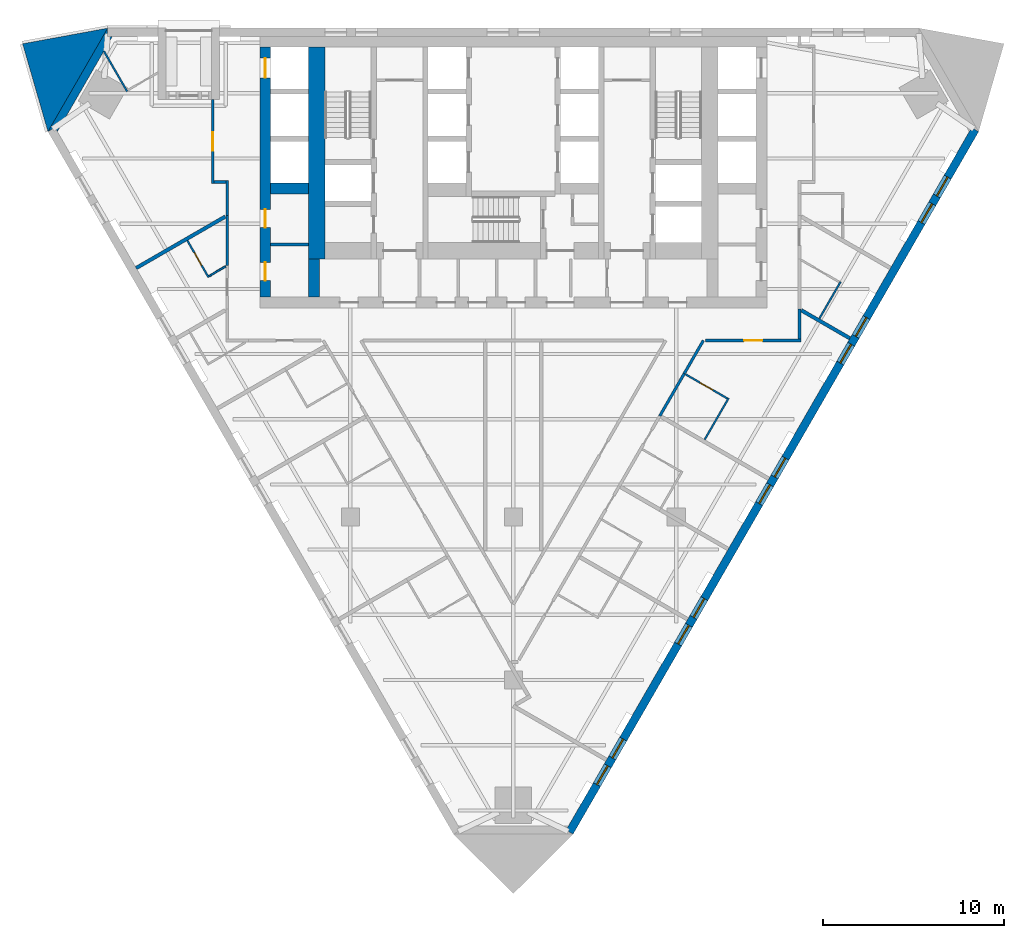
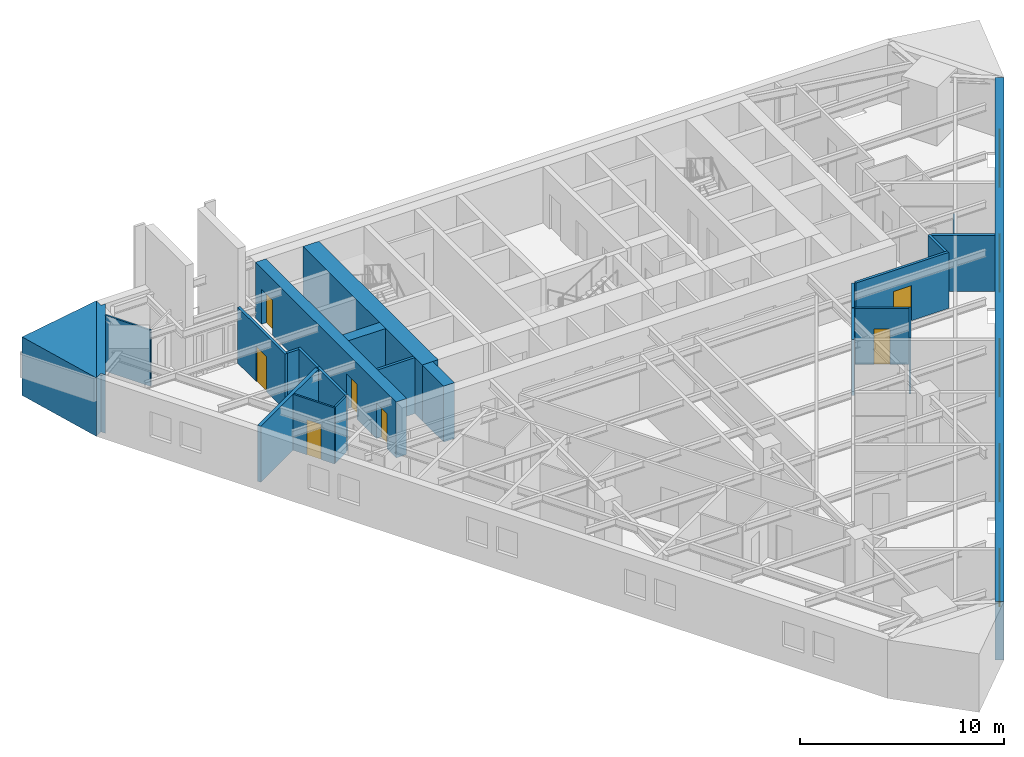
# One storey, part 5 of 10: 24 walls, 10 windows, 7 doors, 17 openings.
"""IFC4 building model written with IfcOpenShell, lengths in metres."""

from ifc_helpers import new_model, si_unit, direction, frame, frame_2d, origin, place, context, subcontext, project, spatial, polyline, rectangle, outline, extrude, material, layer, layer_set, type_object, element, fill, save


model = new_model("IFC4")

# Units and contexts
model_context = context("Model", 3, precision=1e-05, world=origin(), true_north=direction((0.0, 1.0)))
body_context = subcontext(model_context, "Body", "Model", "MODEL_VIEW")
ifc_project = project(units=[si_unit("LENGTHUNIT", "METRE"), si_unit("AREAUNIT", "SQUARE_METRE"), si_unit("VOLUMEUNIT", "CUBIC_METRE"), si_unit("PLANEANGLEUNIT", "RADIAN"), si_unit("MASSUNIT", "GRAM", prefix="KILO")], contexts=[model_context])

# Site, building, storey
site_placement = place(None, origin())
site = spatial("IfcSite", under=ifc_project, at=site_placement, CompositionType="ELEMENT")
building_placement = place(site_placement, origin())
building = spatial("IfcBuilding", under=site, at=building_placement, Name="Aloe Facet Convention Tower", CompositionType="ELEMENT")
storey_placement = place(building_placement, frame((0.0, 0.0, 45.5)))
storey = spatial("IfcBuildingStorey", under=building, at=storey_placement, Name="L09", CompositionType="ELEMENT", Elevation=45.5)

# Wall
ifc_material_1 = material(Name="Concrete blockwork partition", Category="masonry")
ifc_layer_1 = layer(ifc_material_1, 0.14990234375)
ifc_layer_set_1 = layer_set([ifc_layer_1], Name="CR-W-PART150")
wall_type_1 = type_object("IfcWallType", Name="CR-W-PART150", PredefinedType="PARTITIONING", material=ifc_layer_set_1)
wall_1_placement = place(storey_placement, frame((66.60009765625, 123.048583984375, 0.0), z_axis=(0.0, 0.0, 1.0), x_axis=(1.0, 0.0, 0.0)))
element("IfcWall", 1, at=wall_1_placement, inside=storey, type_object=wall_type_1, Name="Core partition L09-007", PredefinedType="PARTITIONING", context=body_context, shape_type="SweptSolid", body=[
    extrude(rectangle(XDim=2.099853515625, YDim=0.14990234375, at=frame_2d((1.0498046875, 0.0))), origin(), (0.0, 0.0, 1.0), 3.35009765625),
])

# Wall, openings, doors
ifc_material_2 = material(Name="Concrete C80/95", Category="concrete")
ifc_layer_2 = layer(ifc_material_2, 0.60009765625)
ifc_layer_set_2 = layer_set([ifc_layer_2], Name="CR-W-RC600-C8095")
wall_type_2 = type_object("IfcWallType", Name="CR-W-RC600-C8095", PredefinedType="SOLIDWALL", material=ifc_layer_set_2)
wall_2_placement = place(storey_placement, frame((66.300048828125, 133.949951171875, 0.0), z_axis=(0.0, 0.0, 1.0), x_axis=(0.0, -1.0, 0.0)))
wall_2 = element("IfcWall", 2, at=wall_2_placement, inside=storey, type_object=wall_type_2, Name="Core wall L09-002", PredefinedType="SOLIDWALL", context=body_context, shape_type="SweptSolid", body=[
    extrude(rectangle(XDim=13.800048828125, YDim=0.60009765625, at=frame_2d((6.89990234375, 0.0))), origin(), (0.0, 0.0, 1.0), 3.35009765625),
])
opening_1_placement = place(wall_2_placement, frame((0.60009765625, 0.0, 0.0)))
opening_1 = element("IfcOpeningElement", 3, at=opening_1_placement, cuts=wall_2, Name="Opening LD-A7-L09", PredefinedType="OPENING", context=body_context, shape_type="SweptSolid", body=[
    extrude(rectangle(XDim=1.10009765625, YDim=2.10009765625, at=frame_2d((0.550048828125, 1.050048828125))), frame((0.0, 0.31005859375, 0.0), z_axis=(0.0, -1.0, 0.0), x_axis=(1.0, 0.0, 0.0)), (0.0, 0.0, 1.0), 0.6201171875),
])
opening_2_placement = place(wall_2_placement, frame((8.963134765625, 0.0, 0.0)))
opening_2 = element("IfcOpeningElement", 4, at=opening_2_placement, cuts=wall_2, Name="Opening L09-CD33", PredefinedType="OPENING", context=body_context, shape_type="SweptSolid", body=[
    extrude(rectangle(XDim=1.0, YDim=2.10009765625, at=frame_2d((0.5, 1.050048828125))), frame((0.0, 0.31005859375, 0.0), z_axis=(0.0, -1.0, 0.0), x_axis=(1.0, 0.0, 0.0)), (0.0, 0.0, 1.0), 0.6201171875),
])
opening_3_placement = place(wall_2_placement, frame((11.88818359375, 0.0, 0.0)))
opening_3 = element("IfcOpeningElement", 5, at=opening_3_placement, cuts=wall_2, Name="Opening L09-CD34", PredefinedType="OPENING", context=body_context, shape_type="SweptSolid", body=[
    extrude(rectangle(XDim=1.0, YDim=2.10009765625, at=frame_2d((0.5, 1.050048828125))), frame((0.0, 0.31005859375, 0.0), z_axis=(0.0, -1.0, 0.0), x_axis=(1.0, 0.0, 0.0)), (0.0, 0.0, 1.0), 0.6201171875),
])
ifc_material_3 = material(Name="Steel fire-resisting door set FD60", Category="steel")
door_type_1 = type_object("IfcDoorType", Name="CR-D-ROOM-1000-FD60-SLEFT", OperationType="SINGLE_SWING_LEFT", PredefinedType="DOOR", material=ifc_material_3)
door_1_placement = place(opening_2_placement, origin())
door_1 = element("IfcDoor", 6, at=door_1_placement, inside=storey, type_object=door_type_1, Name="Core door L09-CD33", OperationType="SINGLE_SWING_LEFT", OverallHeight=2.10009765625, OverallWidth=1.0, PredefinedType="DOOR", context=body_context, shape_type="SweptSolid", body=[
    extrude(rectangle(XDim=1.0, YDim=2.10009765625, at=frame_2d((0.5, 1.050048828125))), frame((0.0, 0.02490234375, 0.0), z_axis=(0.0, -1.0, 0.0), x_axis=(1.0, 0.0, 0.0)), (0.0, 0.0, 1.0), 0.050048828125),
])
fill(opening_2, door_1)
door_2_placement = place(opening_3_placement, origin())
door_2 = element("IfcDoor", 7, at=door_2_placement, inside=storey, type_object=door_type_1, Name="Core door L09-CD34", OperationType="SINGLE_SWING_LEFT", OverallHeight=2.10009765625, OverallWidth=1.0, PredefinedType="DOOR", context=body_context, shape_type="SweptSolid", body=[
    extrude(rectangle(XDim=1.0, YDim=2.10009765625, at=frame_2d((0.5, 1.050048828125))), frame((0.0, 0.02490234375, 0.0), z_axis=(0.0, -1.0, 0.0), x_axis=(1.0, 0.0, 0.0)), (0.0, 0.0, 1.0), 0.050048828125),
])
fill(opening_3, door_2)
ifc_material_4 = material(Name="Stainless steel sliding landing door", Category="steel")
door_type_2 = type_object("IfcDoorType", Name="CR-LD-1100-FD60-_LEFT", OperationType="SLIDING_TO_LEFT", PredefinedType="DOOR", material=ifc_material_4)
door_3_placement = place(opening_1_placement, origin())
door_3 = element("IfcDoor", 8, at=door_3_placement, inside=storey, type_object=door_type_2, Name="Landing door A7 L09", OperationType="SLIDING_TO_LEFT", OverallHeight=2.10009765625, OverallWidth=1.10009765625, PredefinedType="DOOR", context=body_context, shape_type="SweptSolid", body=[
    extrude(rectangle(XDim=1.10009765625, YDim=2.10009765625, at=frame_2d((0.550048828125, 1.050048828125))), frame((0.0, 0.02490234375, 0.0), z_axis=(0.0, -1.0, 0.0), x_axis=(1.0, 0.0, 0.0)), (0.0, 0.0, 1.0), 0.050048828125),
])
fill(opening_1, door_3)

# Walls
wall_3_placement = place(storey_placement, frame((66.60009765625, 126.14990234375, 0.0), z_axis=(0.0, 0.0, 1.0), x_axis=(1.0, 0.0, 0.0)))
element("IfcWall", 9, at=wall_3_placement, inside=storey, type_object=wall_type_2, Name="Core wall L09-006", PredefinedType="SOLIDWALL", context=body_context, shape_type="SweptSolid", body=[
    extrude(rectangle(XDim=2.099853515625, YDim=0.60009765625, at=frame_2d((1.0498046875, 0.0))), origin(), (0.0, 0.0, 1.0), 3.35009765625),
])
wall_4_placement = place(storey_placement, frame((69.0, 122.25, 0.0), z_axis=(0.0, 0.0, 1.0), x_axis=(0.0, -1.0, 0.0)))
element("IfcWall", 10, at=wall_4_placement, inside=storey, type_object=wall_type_2, Name="Core wall L09-009", PredefinedType="SOLIDWALL", context=body_context, shape_type="SweptSolid", body=[
    extrude(rectangle(XDim=2.10009765625, YDim=0.60009765625, at=frame_2d((1.050048828125, 0.0))), origin(), (0.0, 0.0, 1.0), 3.35009765625),
])
ifc_material_5 = material(Name="Concrete C80/95", Category="concrete")
ifc_layer_3 = layer(ifc_material_5, 0.89990234375)
ifc_layer_set_3 = layer_set([ifc_layer_3], Name="CR-W-RC900-C8095")
wall_type_3 = type_object("IfcWallType", Name="CR-W-RC900-C8095", PredefinedType="SOLIDWALL", material=ifc_layer_set_3)
wall_5_placement = place(storey_placement, frame((69.14990234375, 133.949951171875, 0.0), z_axis=(0.0, 0.0, 1.0), x_axis=(0.0, -1.0, 0.0)))
element("IfcWall", 11, at=wall_5_placement, inside=storey, type_object=wall_type_3, Name="Core wall L09-008", PredefinedType="SOLIDWALL", context=body_context, shape_type="SweptSolid", body=[
    extrude(rectangle(XDim=11.699951171875, YDim=0.89990234375, at=frame_2d((5.85009765625, 0.0))), origin(), (0.0, 0.0, 1.0), 3.35009765625),
])
ifc_material_6 = material(Name="Precast concrete C40/50", Category="concrete")
ifc_layer_4 = layer(ifc_material_6, 0.449951171875)
ifc_layer_set_4 = layer_set([ifc_layer_4], Name="EV-WALL-PIER")
wall_type_4 = type_object("IfcWallType", Name="EV-WALL-PIER", PredefinedType="SOLIDWALL", material=ifc_layer_set_4)
wall_6_placement = place(storey_placement, frame((0.0, 0.0, -0.14990234375)))
element("IfcWall", 12, at=wall_6_placement, inside=storey, type_object=wall_type_4, Name="EP-L09-A", PredefinedType="SOLIDWALL", context=body_context, shape_type="SweptSolid", body=[
    extrude(outline(polyline([(57.60009765625, 135.0), (57.60009765625, 134.550048828125), (57.85986328125, 134.550048828125), (54.819580078125, 129.2841796875), (54.689697265625, 129.50927734375), (54.300048828125, 129.2841796875), (57.60009765625, 135.0)])), origin(), (0.0, 0.0, 1.0), 3.5),
])
ifc_material_7 = material(Name="Precast concrete C40/50", Category="concrete")
ifc_layer_5 = layer(ifc_material_7, 3.947998046875)
ifc_layer_set_5 = layer_set([ifc_layer_5], Name="EV-WALL-SPINE")
wall_type_5 = type_object("IfcWallType", Name="EV-WALL-SPINE", PredefinedType="SOLIDWALL", material=ifc_layer_set_5)
wall_7_placement = place(storey_placement, frame((0.0, 0.0, -0.14990234375)))
element("IfcWall", 13, at=wall_7_placement, inside=storey, type_object=wall_type_5, Name="SP-NW-L09", PredefinedType="SOLIDWALL", context=body_context, shape_type="SweptSolid", body=[
    extrude(outline(polyline([(57.60009765625, 135.0), (52.900390625, 134.137451171875), (54.300048828125, 129.2841796875), (57.60009765625, 135.0)])), origin(), (0.0, 0.0, 1.0), 3.5),
])

# Wall, openings, windows
ifc_material_8 = material(Name="Precast concrete C40/50", Category="concrete")
ifc_layer_6 = layer(ifc_material_8, 0.449951171875)
ifc_layer_set_6 = layer_set([ifc_layer_6], Name="EV-WALL-STONE")
wall_type_6 = type_object("IfcWallType", Name="EV-WALL-STONE", PredefinedType="SOLIDWALL", material=ifc_layer_set_6)
wall_8_placement = place(storey_placement, frame((83.105224609375, 90.598876953125, -0.14990234375), z_axis=(0.0, 0.0, 1.0), x_axis=(0.499999201451, 0.866025864826, 0.0)))
wall_8 = element("IfcWall", 14, at=wall_8_placement, inside=storey, type_object=wall_type_6, Name="EW-L09-E01", PredefinedType="SOLIDWALL", context=body_context, shape_type="SweptSolid", body=[
    extrude(outline(polyline([(44.800048828125, 0.0), (44.800048828125, 3.5), (0.0, 3.5), (0.0, 0.0), (44.800048828125, 0.0)])), frame((0.0, 0.22509765625, 0.0), z_axis=(0.0, -1.0, 0.0), x_axis=(1.0, 0.0, 0.0)), (0.0, 0.0, 1.0), 0.449951171875),
])
opening_4_placement = place(wall_8_placement, frame((3.030029296875, 0.0, 1.050048828125)))
opening_4 = element("IfcOpeningElement", 15, at=opening_4_placement, cuts=wall_8, Name="Opening W-L09-E01", PredefinedType="OPENING", context=body_context, shape_type="SweptSolid", body=[
    extrude(rectangle(XDim=1.199951171875, YDim=1.5, at=frame_2d((0.60009765625, 0.75))), frame((0.0, 0.23486328125, 0.0), z_axis=(0.0, -1.0, 0.0), x_axis=(1.0, 0.0, 0.0)), (0.0, 0.0, 1.0), 0.469970703125),
])
opening_5_placement = place(wall_8_placement, frame((4.72998046875, 0.0, 1.050048828125)))
opening_5 = element("IfcOpeningElement", 16, at=opening_5_placement, cuts=wall_8, Name="Opening W-L09-E02", PredefinedType="OPENING", context=body_context, shape_type="SweptSolid", body=[
    extrude(rectangle(XDim=1.199951171875, YDim=1.5, at=frame_2d((0.60009765625, 0.75))), frame((0.0, 0.23486328125, 0.0), z_axis=(0.0, -1.0, 0.0), x_axis=(1.0, 0.0, 0.0)), (0.0, 0.0, 1.0), 0.469970703125),
])
opening_6_placement = place(wall_8_placement, frame((11.989990234375, 0.0, 1.050048828125)))
opening_6 = element("IfcOpeningElement", 17, at=opening_6_placement, cuts=wall_8, Name="Opening W-L09-E03", PredefinedType="OPENING", context=body_context, shape_type="SweptSolid", body=[
    extrude(rectangle(XDim=1.199951171875, YDim=1.5, at=frame_2d((0.60009765625, 0.75))), frame((0.0, 0.23486328125, 0.0), z_axis=(0.0, -1.0, 0.0), x_axis=(1.0, 0.0, 0.0)), (0.0, 0.0, 1.0), 0.469970703125),
])
opening_7_placement = place(wall_8_placement, frame((13.68994140625, 0.0, 1.050048828125)))
opening_7 = element("IfcOpeningElement", 18, at=opening_7_placement, cuts=wall_8, Name="Opening W-L09-E04", PredefinedType="OPENING", context=body_context, shape_type="SweptSolid", body=[
    extrude(rectangle(XDim=1.199951171875, YDim=1.5, at=frame_2d((0.60009765625, 0.75))), frame((0.0, 0.23486328125, 0.0), z_axis=(0.0, -1.0, 0.0), x_axis=(1.0, 0.0, 0.0)), (0.0, 0.0, 1.0), 0.469970703125),
])
opening_8_placement = place(wall_8_placement, frame((20.949951171875, 0.0, 1.050048828125)))
opening_8 = element("IfcOpeningElement", 19, at=opening_8_placement, cuts=wall_8, Name="Opening W-L09-E05", PredefinedType="OPENING", context=body_context, shape_type="SweptSolid", body=[
    extrude(rectangle(XDim=1.199951171875, YDim=1.5, at=frame_2d((0.60009765625, 0.75))), frame((0.0, 0.23486328125, 0.0), z_axis=(0.0, -1.0, 0.0), x_axis=(1.0, 0.0, 0.0)), (0.0, 0.0, 1.0), 0.469970703125),
])
opening_9_placement = place(wall_8_placement, frame((22.64990234375, 0.0, 1.050048828125)))
opening_9 = element("IfcOpeningElement", 20, at=opening_9_placement, cuts=wall_8, Name="Opening W-L09-E06", PredefinedType="OPENING", context=body_context, shape_type="SweptSolid", body=[
    extrude(rectangle(XDim=1.199951171875, YDim=1.5, at=frame_2d((0.60009765625, 0.75))), frame((0.0, 0.23486328125, 0.0), z_axis=(0.0, -1.0, 0.0), x_axis=(1.0, 0.0, 0.0)), (0.0, 0.0, 1.0), 0.469970703125),
])
opening_10_placement = place(wall_8_placement, frame((29.909912109375, 0.0, 1.050048828125)))
opening_10 = element("IfcOpeningElement", 21, at=opening_10_placement, cuts=wall_8, Name="Opening W-L09-E07", PredefinedType="OPENING", context=body_context, shape_type="SweptSolid", body=[
    extrude(rectangle(XDim=1.199951171875, YDim=1.5, at=frame_2d((0.60009765625, 0.75))), frame((0.0, 0.23486328125, 0.0), z_axis=(0.0, -1.0, 0.0), x_axis=(1.0, 0.0, 0.0)), (0.0, 0.0, 1.0), 0.469970703125),
])
opening_11_placement = place(wall_8_placement, frame((31.610107421875, 0.0, 1.050048828125)))
opening_11 = element("IfcOpeningElement", 22, at=opening_11_placement, cuts=wall_8, Name="Opening W-L09-E08", PredefinedType="OPENING", context=body_context, shape_type="SweptSolid", body=[
    extrude(rectangle(XDim=1.199951171875, YDim=1.5, at=frame_2d((0.60009765625, 0.75))), frame((0.0, 0.23486328125, 0.0), z_axis=(0.0, -1.0, 0.0), x_axis=(1.0, 0.0, 0.0)), (0.0, 0.0, 1.0), 0.469970703125),
])
opening_12_placement = place(wall_8_placement, frame((38.8701171875, 0.0, 1.050048828125)))
opening_12 = element("IfcOpeningElement", 23, at=opening_12_placement, cuts=wall_8, Name="Opening W-L09-E09", PredefinedType="OPENING", context=body_context, shape_type="SweptSolid", body=[
    extrude(rectangle(XDim=1.199951171875, YDim=1.5, at=frame_2d((0.60009765625, 0.75))), frame((0.0, 0.23486328125, 0.0), z_axis=(0.0, -1.0, 0.0), x_axis=(1.0, 0.0, 0.0)), (0.0, 0.0, 1.0), 0.469970703125),
])
opening_13_placement = place(wall_8_placement, frame((40.570068359375, 0.0, 1.050048828125)))
opening_13 = element("IfcOpeningElement", 24, at=opening_13_placement, cuts=wall_8, Name="Opening W-L09-E10", PredefinedType="OPENING", context=body_context, shape_type="SweptSolid", body=[
    extrude(rectangle(XDim=1.199951171875, YDim=1.5, at=frame_2d((0.60009765625, 0.75))), frame((0.0, 0.23486328125, 0.0), z_axis=(0.0, -1.0, 0.0), x_axis=(1.0, 0.0, 0.0)), (0.0, 0.0, 1.0), 0.469970703125),
])
ifc_material_9 = material(Name="Aluminium frame, clear double glazing", Category="aluminium")
window_type = type_object("IfcWindowType", Name="EV-WIN-H12", PartitioningType="SINGLE_PANEL", PredefinedType="WINDOW", material=ifc_material_9)
window_1_placement = place(opening_4_placement, origin())
window_1 = element("IfcWindow", 25, at=window_1_placement, inside=storey, type_object=window_type, Name="W-L09-E01", OverallHeight=1.5, OverallWidth=1.199951171875, PartitioningType="SINGLE_PANEL", PredefinedType="WINDOW", context=body_context, shape_type="SweptSolid", body=[
    extrude(rectangle(XDim=1.199951171875, YDim=1.5, at=frame_2d((0.60009765625, 0.75))), frame((0.0, 0.030029296875, 0.0), z_axis=(0.0, -1.0, 0.0), x_axis=(1.0, 0.0, 0.0)), (0.0, 0.0, 1.0), 0.06005859375),
])
fill(opening_4, window_1)
window_2_placement = place(opening_5_placement, origin())
window_2 = element("IfcWindow", 26, at=window_2_placement, inside=storey, type_object=window_type, Name="W-L09-E02", OverallHeight=1.5, OverallWidth=1.199951171875, PartitioningType="SINGLE_PANEL", PredefinedType="WINDOW", context=body_context, shape_type="SweptSolid", body=[
    extrude(rectangle(XDim=1.199951171875, YDim=1.5, at=frame_2d((0.60009765625, 0.75))), frame((0.0, 0.030029296875, 0.0), z_axis=(0.0, -1.0, 0.0), x_axis=(1.0, 0.0, 0.0)), (0.0, 0.0, 1.0), 0.06005859375),
])
fill(opening_5, window_2)
window_3_placement = place(opening_6_placement, origin())
window_3 = element("IfcWindow", 27, at=window_3_placement, inside=storey, type_object=window_type, Name="W-L09-E03", OverallHeight=1.5, OverallWidth=1.199951171875, PartitioningType="SINGLE_PANEL", PredefinedType="WINDOW", context=body_context, shape_type="SweptSolid", body=[
    extrude(rectangle(XDim=1.199951171875, YDim=1.5, at=frame_2d((0.60009765625, 0.75))), frame((0.0, 0.030029296875, 0.0), z_axis=(0.0, -1.0, 0.0), x_axis=(1.0, 0.0, 0.0)), (0.0, 0.0, 1.0), 0.06005859375),
])
fill(opening_6, window_3)
window_4_placement = place(opening_7_placement, origin())
window_4 = element("IfcWindow", 28, at=window_4_placement, inside=storey, type_object=window_type, Name="W-L09-E04", OverallHeight=1.5, OverallWidth=1.199951171875, PartitioningType="SINGLE_PANEL", PredefinedType="WINDOW", context=body_context, shape_type="SweptSolid", body=[
    extrude(rectangle(XDim=1.199951171875, YDim=1.5, at=frame_2d((0.60009765625, 0.75))), frame((0.0, 0.030029296875, 0.0), z_axis=(0.0, -1.0, 0.0), x_axis=(1.0, 0.0, 0.0)), (0.0, 0.0, 1.0), 0.06005859375),
])
fill(opening_7, window_4)
window_5_placement = place(opening_8_placement, origin())
window_5 = element("IfcWindow", 29, at=window_5_placement, inside=storey, type_object=window_type, Name="W-L09-E05", OverallHeight=1.5, OverallWidth=1.199951171875, PartitioningType="SINGLE_PANEL", PredefinedType="WINDOW", context=body_context, shape_type="SweptSolid", body=[
    extrude(rectangle(XDim=1.199951171875, YDim=1.5, at=frame_2d((0.60009765625, 0.75))), frame((0.0, 0.030029296875, 0.0), z_axis=(0.0, -1.0, 0.0), x_axis=(1.0, 0.0, 0.0)), (0.0, 0.0, 1.0), 0.06005859375),
])
fill(opening_8, window_5)
window_6_placement = place(opening_9_placement, origin())
window_6 = element("IfcWindow", 30, at=window_6_placement, inside=storey, type_object=window_type, Name="W-L09-E06", OverallHeight=1.5, OverallWidth=1.199951171875, PartitioningType="SINGLE_PANEL", PredefinedType="WINDOW", context=body_context, shape_type="SweptSolid", body=[
    extrude(rectangle(XDim=1.199951171875, YDim=1.5, at=frame_2d((0.60009765625, 0.75))), frame((0.0, 0.030029296875, 0.0), z_axis=(0.0, -1.0, 0.0), x_axis=(1.0, 0.0, 0.0)), (0.0, 0.0, 1.0), 0.06005859375),
])
fill(opening_9, window_6)
window_7_placement = place(opening_10_placement, origin())
window_7 = element("IfcWindow", 31, at=window_7_placement, inside=storey, type_object=window_type, Name="W-L09-E07", OverallHeight=1.5, OverallWidth=1.199951171875, PartitioningType="SINGLE_PANEL", PredefinedType="WINDOW", context=body_context, shape_type="SweptSolid", body=[
    extrude(rectangle(XDim=1.199951171875, YDim=1.5, at=frame_2d((0.60009765625, 0.75))), frame((0.0, 0.030029296875, 0.0), z_axis=(0.0, -1.0, 0.0), x_axis=(1.0, 0.0, 0.0)), (0.0, 0.0, 1.0), 0.06005859375),
])
fill(opening_10, window_7)
window_8_placement = place(opening_11_placement, origin())
window_8 = element("IfcWindow", 32, at=window_8_placement, inside=storey, type_object=window_type, Name="W-L09-E08", OverallHeight=1.5, OverallWidth=1.199951171875, PartitioningType="SINGLE_PANEL", PredefinedType="WINDOW", context=body_context, shape_type="SweptSolid", body=[
    extrude(rectangle(XDim=1.199951171875, YDim=1.5, at=frame_2d((0.60009765625, 0.75))), frame((0.0, 0.030029296875, 0.0), z_axis=(0.0, -1.0, 0.0), x_axis=(1.0, 0.0, 0.0)), (0.0, 0.0, 1.0), 0.06005859375),
])
fill(opening_11, window_8)
window_9_placement = place(opening_12_placement, origin())
window_9 = element("IfcWindow", 33, at=window_9_placement, inside=storey, type_object=window_type, Name="W-L09-E09", OverallHeight=1.5, OverallWidth=1.199951171875, PartitioningType="SINGLE_PANEL", PredefinedType="WINDOW", context=body_context, shape_type="SweptSolid", body=[
    extrude(rectangle(XDim=1.199951171875, YDim=1.5, at=frame_2d((0.60009765625, 0.75))), frame((0.0, 0.030029296875, 0.0), z_axis=(0.0, -1.0, 0.0), x_axis=(1.0, 0.0, 0.0)), (0.0, 0.0, 1.0), 0.06005859375),
])
fill(opening_12, window_9)
window_10_placement = place(opening_13_placement, origin())
window_10 = element("IfcWindow", 34, at=window_10_placement, inside=storey, type_object=window_type, Name="W-L09-E10", OverallHeight=1.5, OverallWidth=1.199951171875, PartitioningType="SINGLE_PANEL", PredefinedType="WINDOW", context=body_context, shape_type="SweptSolid", body=[
    extrude(rectangle(XDim=1.199951171875, YDim=1.5, at=frame_2d((0.60009765625, 0.75))), frame((0.0, 0.030029296875, 0.0), z_axis=(0.0, -1.0, 0.0), x_axis=(1.0, 0.0, 0.0)), (0.0, 0.0, 1.0), 0.06005859375),
])
fill(opening_13, window_10)

# Walls
ifc_material_10 = material(Name="Gypsum board partition on steel studs", Category="steel")
ifc_layer_7 = layer(ifc_material_10, 0.14990234375)
ifc_layer_set_7 = layer_set([ifc_layer_7], Name="IN-W-CORR")
wall_type_7 = type_object("IfcWallType", Name="IN-W-CORR", PredefinedType="PARTITIONING", material=ifc_layer_set_7)
wall_9_placement = place(storey_placement, frame((88.09130859375, 113.585205078125, 0.0), z_axis=(0.0, 0.0, 1.0), x_axis=(0.50000943426, 0.866019956843, 0.0)))
element("IfcWall", 35, at=wall_9_placement, inside=storey, type_object=wall_type_7, Name="Partition L09-W051", PredefinedType="PARTITIONING", context=body_context, shape_type="SweptSolid", body=[
    extrude(rectangle(XDim=2.7001953125, YDim=0.14990234375, at=frame_2d((1.35009765625, 0.0))), origin(), (0.0, 0.0, 1.0), 3.35009765625),
])
wall_10_placement = place(storey_placement, frame((89.44140625, 115.923583984375, 0.0), z_axis=(0.0, 0.0, 1.0), x_axis=(0.499986337096, 0.866033291922, 0.0)))
element("IfcWall", 36, at=wall_10_placement, inside=storey, type_object=wall_type_7, Name="Partition L09-W067", PredefinedType="PARTITIONING", context=body_context, shape_type="SweptSolid", body=[
    extrude(rectangle(XDim=2.10888671875, YDim=0.14990234375, at=frame_2d((1.054443359375, 0.0))), origin(), (0.0, 0.0, 1.0), 3.35009765625),
])

# Wall, opening, door
wall_11_placement = place(storey_placement, frame((90.625732421875, 117.75, 0.0), z_axis=(0.0, 0.0, 1.0), x_axis=(1.0, 0.0, 0.0)))
wall_11 = element("IfcWall", 37, at=wall_11_placement, inside=storey, type_object=wall_type_7, Name="Partition L09-W068", PredefinedType="PARTITIONING", context=body_context, shape_type="SweptSolid", body=[
    extrude(rectangle(XDim=5.249267578125, YDim=0.14990234375, at=frame_2d((2.62451171875, 0.0))), origin(), (0.0, 0.0, 1.0), 3.35009765625),
])
opening_14_placement = place(wall_11_placement, frame((2.12451171875, 0.0, 0.0)))
opening_14 = element("IfcOpeningElement", 38, at=opening_14_placement, cuts=wall_11, Name="Opening L09-011", PredefinedType="OPENING", context=body_context, shape_type="SweptSolid", body=[
    extrude(rectangle(XDim=1.0, YDim=2.10009765625, at=frame_2d((0.5, 1.050048828125))), frame((0.0, 0.0849609375, 0.0), z_axis=(0.0, -1.0, 0.0), x_axis=(1.0, 0.0, 0.0)), (0.0, 0.0, 1.0), 0.169921875),
])
ifc_material_11 = material(Name="Hardwood flush door FD30S", Category="wood")
door_type_3 = type_object("IfcDoorType", Name="IN-D-WIDE", OperationType="SINGLE_SWING_LEFT", PredefinedType="DOOR", material=ifc_material_11)
door_4_placement = place(opening_14_placement, origin())
door_4 = element("IfcDoor", 39, at=door_4_placement, inside=storey, type_object=door_type_3, Name="Door L09-011", OperationType="SINGLE_SWING_LEFT", OverallHeight=2.10009765625, OverallWidth=1.0, PredefinedType="DOOR", context=body_context, shape_type="SweptSolid", body=[
    extrude(rectangle(XDim=1.0, YDim=2.10009765625, at=frame_2d((0.5, 1.050048828125))), frame((0.0, 0.02490234375, 0.0), z_axis=(0.0, -1.0, 0.0), x_axis=(1.0, 0.0, 0.0)), (0.0, 0.0, 1.0), 0.050048828125),
])
fill(opening_14, door_4)

# Walls
wall_12_placement = place(storey_placement, frame((95.800048828125, 117.824951171875, 0.0), z_axis=(0.0, 0.0, 1.0), x_axis=(0.0, 1.0, 0.0)))
element("IfcWall", 40, at=wall_12_placement, inside=storey, type_object=wall_type_7, Name="Partition L09-W074", PredefinedType="PARTITIONING", context=body_context, shape_type="SweptSolid", body=[
    extrude(rectangle(XDim=1.65576171875, YDim=0.14990234375, at=frame_2d((0.827880859375, 0.0))), origin(), (0.0, 0.0, 1.0), 3.35009765625),
])
wall_13_placement = place(storey_placement, frame((64.199951171875, 121.89404296875, 0.0), z_axis=(0.0, 0.0, 1.0), x_axis=(0.0, 1.0, 0.0)))
element("IfcWall", 41, at=wall_13_placement, inside=storey, type_object=wall_type_7, Name="Partition L09-W088", PredefinedType="PARTITIONING", context=body_context, shape_type="SweptSolid", body=[
    extrude(rectangle(XDim=2.759765625, YDim=0.14990234375, at=frame_2d((1.3798828125, 0.0))), origin(), (0.0, 0.0, 1.0), 3.35009765625),
])
wall_14_placement = place(storey_placement, frame((64.199951171875, 124.65380859375, 0.0), z_axis=(0.0, 0.0, 1.0), x_axis=(0.0, 1.0, 0.0)))
element("IfcWall", 42, at=wall_14_placement, inside=storey, type_object=wall_type_7, Name="Partition L09-W090", PredefinedType="PARTITIONING", context=body_context, shape_type="SweptSolid", body=[
    extrude(rectangle(XDim=1.921142578125, YDim=0.14990234375, at=frame_2d((0.96044921875, 0.0))), origin(), (0.0, 0.0, 1.0), 3.35009765625),
])

# Wall, opening, door
wall_15_placement = place(storey_placement, frame((63.39990234375, 126.425048828125, 0.0), z_axis=(0.0, 0.0, 1.0), x_axis=(0.0, 1.0, 0.0)))
wall_15 = element("IfcWall", 43, at=wall_15_placement, inside=storey, type_object=wall_type_7, Name="Partition L09-W096", PredefinedType="PARTITIONING", context=body_context, shape_type="SweptSolid", body=[
    extrude(rectangle(XDim=4.625, YDim=0.14990234375, at=frame_2d((2.3125, 0.0))), origin(), (0.0, 0.0, 1.0), 3.35009765625),
])
opening_15_placement = place(wall_15_placement, frame((1.8125, 0.0, 0.0)))
opening_15 = element("IfcOpeningElement", 44, at=opening_15_placement, cuts=wall_15, Name="Opening L09-002", PredefinedType="OPENING", context=body_context, shape_type="SweptSolid", body=[
    extrude(rectangle(XDim=1.0, YDim=2.10009765625, at=frame_2d((0.5, 1.050048828125))), frame((0.0, 0.0849609375, 0.0), z_axis=(0.0, -1.0, 0.0), x_axis=(1.0, 0.0, 0.0)), (0.0, 0.0, 1.0), 0.169921875),
])
door_5_placement = place(opening_15_placement, origin())
door_5 = element("IfcDoor", 45, at=door_5_placement, inside=storey, type_object=door_type_3, Name="Door L09-002", OperationType="SINGLE_SWING_LEFT", OverallHeight=2.10009765625, OverallWidth=1.0, PredefinedType="DOOR", context=body_context, shape_type="SweptSolid", body=[
    extrude(rectangle(XDim=1.0, YDim=2.10009765625, at=frame_2d((0.5, 1.050048828125))), frame((0.0, 0.02490234375, 0.0), z_axis=(0.0, -1.0, 0.0), x_axis=(1.0, 0.0, 0.0)), (0.0, 0.0, 1.0), 0.050048828125),
])
fill(opening_15, door_5)

# Walls
wall_16_placement = place(storey_placement, frame((63.47509765625, 126.5, 0.0), z_axis=(0.0, 0.0, 1.0), x_axis=(1.0, 0.0, 0.0)))
element("IfcWall", 46, at=wall_16_placement, inside=storey, type_object=wall_type_7, Name="Partition L09-W097", PredefinedType="PARTITIONING", context=body_context, shape_type="SweptSolid", body=[
    extrude(rectangle(XDim=0.64990234375, YDim=0.14990234375, at=frame_2d((0.324951171875, 0.0))), origin(), (0.0, 0.0, 1.0), 3.35009765625),
])
ifc_material_12 = material(Name="Gypsum board partition on steel studs", Category="steel")
ifc_layer_8 = layer(ifc_material_12, 0.10009765625)
ifc_layer_set_8 = layer_set([ifc_layer_8], Name="IN-W-PART")
wall_type_8 = type_object("IfcWallType", Name="IN-W-PART", PredefinedType="PARTITIONING", material=ifc_layer_set_8)
wall_17_placement = place(storey_placement, frame((90.5712890625, 112.280517578125, 0.0), z_axis=(0.0, 0.0, 1.0), x_axis=(0.500007957085, 0.86602080971, 0.0)))
element("IfcWall", 47, at=wall_17_placement, inside=storey, type_object=wall_type_8, Name="Partition L09-W054", PredefinedType="PARTITIONING", context=body_context, shape_type="SweptSolid", body=[
    extrude(rectangle(XDim=2.64013671875, YDim=0.10009765625, at=frame_2d((1.320068359375, 0.0))), origin(), (0.0, 0.0, 1.0), 3.35009765625),
])

# Wall, opening, door
wall_18_placement = place(storey_placement, frame((89.51513671875, 115.881103515625, 0.0), z_axis=(0.0, 0.0, 1.0), x_axis=(0.86601318911, -0.500021155841, 0.0)))
wall_18 = element("IfcWall", 48, at=wall_18_placement, inside=storey, type_object=wall_type_8, Name="Partition L09-W056", PredefinedType="PARTITIONING", context=body_context, shape_type="SweptSolid", body=[
    extrude(rectangle(XDim=2.6650390625, YDim=0.10009765625, at=frame_2d((1.33251953125, 0.0))), origin(), (0.0, 0.0, 1.0), 3.35009765625),
])
opening_16_placement = place(wall_18_placement, frame((0.9326171875, 0.0, 0.0)))
opening_16 = element("IfcOpeningElement", 49, at=opening_16_placement, cuts=wall_18, Name="Opening L09-026", PredefinedType="OPENING", context=body_context, shape_type="SweptSolid", body=[
    extrude(rectangle(XDim=0.800048828125, YDim=2.10009765625, at=frame_2d((0.39990234375, 1.050048828125))), frame((0.0, 0.06005859375, 0.0), z_axis=(0.0, -1.0, 0.0), x_axis=(1.0, 0.0, 0.0)), (0.0, 0.0, 1.0), 0.1201171875),
])
ifc_material_13 = material(Name="Timber flush door", Category="wood")
door_type_4 = type_object("IfcDoorType", Name="IN-D-BATH", OperationType="SINGLE_SWING_LEFT", PredefinedType="DOOR", material=ifc_material_13)
door_6_placement = place(opening_16_placement, origin())
door_6 = element("IfcDoor", 50, at=door_6_placement, inside=storey, type_object=door_type_4, Name="Door L09-026", OperationType="SINGLE_SWING_LEFT", OverallHeight=2.10009765625, OverallWidth=0.800048828125, PredefinedType="DOOR", context=body_context, shape_type="SweptSolid", body=[
    extrude(rectangle(XDim=0.800048828125, YDim=2.10009765625, at=frame_2d((0.39990234375, 1.050048828125))), frame((0.0, 0.02490234375, 0.0), z_axis=(0.0, -1.0, 0.0), x_axis=(1.0, 0.0, 0.0)), (0.0, 0.0, 1.0), 0.050048828125),
])
fill(opening_16, door_6)

# Wall
wall_19_placement = place(storey_placement, frame((96.90673828125, 118.968994140625, 0.0), z_axis=(0.0, 0.0, 1.0), x_axis=(0.499999433879, 0.866025730634, 0.0)))
element("IfcWall", 51, at=wall_19_placement, inside=storey, type_object=wall_type_8, Name="Partition L09-W079", PredefinedType="PARTITIONING", context=body_context, shape_type="SweptSolid", body=[
    extrude(rectangle(XDim=2.33984375, YDim=0.10009765625, at=frame_2d((1.169921875, 0.0))), origin(), (0.0, 0.0, 1.0), 2.88671875),
])

# Wall, opening, door
wall_20_placement = place(storey_placement, frame((61.998291015625, 123.267333984375, 0.0), z_axis=(0.0, 0.0, 1.0), x_axis=(0.500016218704, -0.866016039709, 0.0)))
wall_20 = element("IfcWall", 52, at=wall_20_placement, inside=storey, type_object=wall_type_8, Name="Partition L09-W080", PredefinedType="PARTITIONING", context=body_context, shape_type="SweptSolid", body=[
    extrude(rectangle(XDim=2.35009765625, YDim=0.10009765625, at=frame_2d((1.175048828125, 0.0))), origin(), (0.0, 0.0, 1.0), 3.35009765625),
])
opening_17_placement = place(wall_20_placement, frame((0.77490234375, 0.0, 0.0)))
opening_17 = element("IfcOpeningElement", 53, at=opening_17_placement, cuts=wall_20, Name="Opening L09-018", PredefinedType="OPENING", context=body_context, shape_type="SweptSolid", body=[
    extrude(rectangle(XDim=0.800048828125, YDim=2.10009765625, at=frame_2d((0.39990234375, 1.050048828125))), frame((0.0, 0.06005859375, 0.0), z_axis=(0.0, -1.0, 0.0), x_axis=(1.0, 0.0, 0.0)), (0.0, 0.0, 1.0), 0.1201171875),
])
door_7_placement = place(opening_17_placement, origin())
door_7 = element("IfcDoor", 54, at=door_7_placement, inside=storey, type_object=door_type_4, Name="Door L09-018", OperationType="SINGLE_SWING_LEFT", OverallHeight=2.10009765625, OverallWidth=0.800048828125, PredefinedType="DOOR", context=body_context, shape_type="SweptSolid", body=[
    extrude(rectangle(XDim=0.800048828125, YDim=2.10009765625, at=frame_2d((0.39990234375, 1.050048828125))), frame((0.0, 0.02490234375, 0.0), z_axis=(0.0, -1.0, 0.0), x_axis=(1.0, 0.0, 0.0)), (0.0, 0.0, 1.0), 0.050048828125),
])
fill(opening_17, door_7)

# Walls
wall_21_placement = place(storey_placement, frame((63.199951171875, 121.305908203125, 0.0), z_axis=(0.0, 0.0, 1.0), x_axis=(0.86196956313, 0.506960030216, 0.0)))
element("IfcWall", 55, at=wall_21_placement, inside=storey, type_object=wall_type_8, Name="Partition L09-W082", PredefinedType="PARTITIONING", context=body_context, shape_type="SweptSolid", body=[
    extrude(rectangle(XDim=1.065185546875, YDim=0.10009765625, at=frame_2d((0.53271484375, 0.0))), origin(), (0.0, 0.0, 1.0), 3.35009765625),
])
wall_22_placement = place(storey_placement, frame((57.387939453125, 133.732666015625, 0.0), z_axis=(0.0, 0.0, 1.0), x_axis=(0.499938331893, -0.866061004955, 0.0)))
element("IfcWall", 56, at=wall_22_placement, inside=storey, type_object=wall_type_8, Name="Partition L09-W100", PredefinedType="PARTITIONING", context=body_context, shape_type="SweptSolid", body=[
    extrude(rectangle(XDim=2.577880859375, YDim=0.10009765625, at=frame_2d((1.2890625, 0.0))), origin(), (0.0, 0.0, 1.0), 3.35009765625),
])
ifc_material_14 = material(Name="Gypsum board partition on steel studs", Category="steel")
ifc_layer_9 = layer(ifc_material_14, 0.199951171875)
ifc_layer_set_9 = layer_set([ifc_layer_9], Name="IN-W-PARTY")
wall_type_9 = type_object("IfcWallType", Name="IN-W-PARTY", PredefinedType="PARTITIONING", material=ifc_layer_set_9)
wall_23_placement = place(storey_placement, frame((95.908203125, 119.418212890625, 0.0), z_axis=(0.0, 0.0, 1.0), x_axis=(0.866051688794, -0.499954470265, 0.0)))
element("IfcWall", 57, at=wall_23_placement, inside=storey, type_object=wall_type_9, Name="Partition L09-W070", PredefinedType="PARTITIONING", context=body_context, shape_type="SweptSolid", body=[
    extrude(rectangle(XDim=3.096923828125, YDim=0.199951171875, at=frame_2d((1.54833984375, 0.0))), origin(), (0.0, 0.0, 1.0), 3.35009765625),
])
wall_24_placement = place(storey_placement, frame((59.169677734375, 121.749755859375, 0.0), z_axis=(0.0, 0.0, 1.0), x_axis=(0.866043237112, 0.499969110498, 0.0)))
element("IfcWall", 58, at=wall_24_placement, inside=storey, type_object=wall_type_9, Name="Partition L09-W081", PredefinedType="PARTITIONING", context=body_context, shape_type="SweptSolid", body=[
    extrude(rectangle(XDim=5.683349609375, YDim=0.199951171875, at=frame_2d((2.841796875, 0.0))), origin(), (0.0, 0.0, 1.0), 3.35009765625),
])

save(model, "model.ifc")
